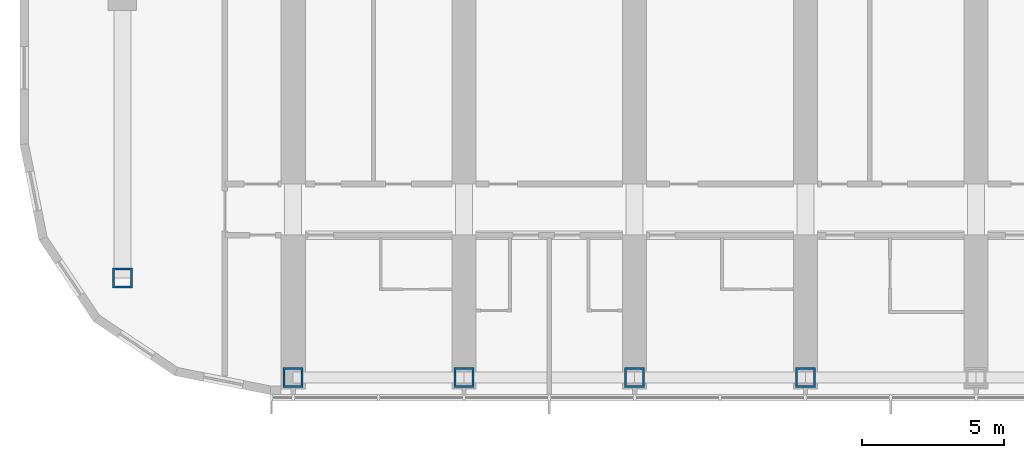
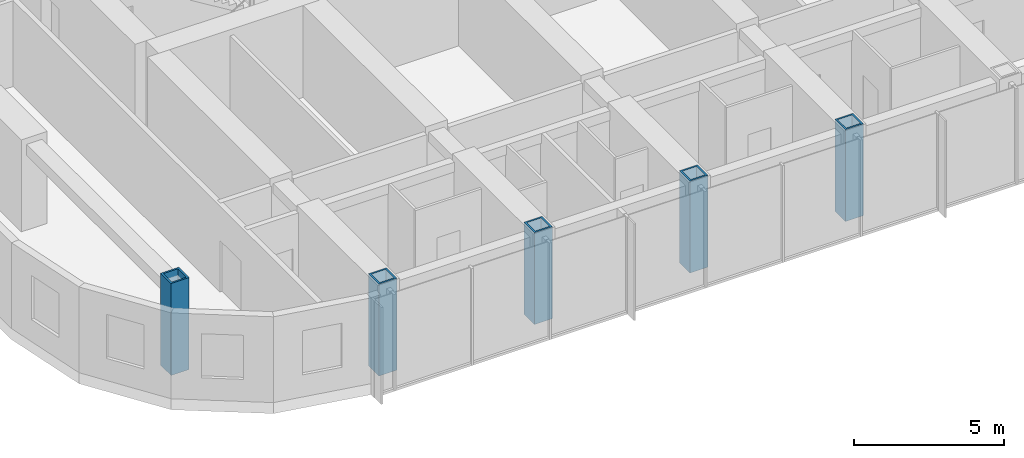
# One storey, part 1 of 28: 5 columns.
"""IFC4 building model written with IfcOpenShell, lengths in metres."""

from ifc_helpers import new_model, si_unit, direction, frame, origin, origin_2d, place, context, subcontext, project, spatial, hollow_rectangle, extrude, material, material_profile, profile_set, type_object, element, save


model = new_model("IFC4")

# Units and contexts
model_context = context("Model", 3, precision=1e-05, world=origin(), true_north=direction((0.0, 1.0)))
body_context = subcontext(model_context, "Body", "Model", "MODEL_VIEW")
ifc_project = project(units=[si_unit("LENGTHUNIT", "METRE"), si_unit("AREAUNIT", "SQUARE_METRE"), si_unit("VOLUMEUNIT", "CUBIC_METRE"), si_unit("PLANEANGLEUNIT", "RADIAN"), si_unit("MASSUNIT", "GRAM", prefix="KILO")], contexts=[model_context])

# Site, building, storey
site_placement = place(None, origin())
site = spatial("IfcSite", under=ifc_project, at=site_placement, CompositionType="ELEMENT")
building_placement = place(site_placement, origin())
building = spatial("IfcBuilding", under=site, at=building_placement, Name="Orbita Commons", CompositionType="ELEMENT")
storey_placement = place(building_placement, frame((0.0, 0.0, 193.60009765625)))
storey = spatial("IfcBuildingStorey", under=building, at=storey_placement, Name="L48", CompositionType="ELEMENT", Elevation=193.60009765625)

# Columns
ifc_material = material(Name="Steel ASTM A572 Gr 50 welded plate", Category="steel")
ifc_material_profile = material_profile(ifc_material, hollow_rectangle(XDim=0.699951171875, YDim=0.699951171875, WallThickness=0.070068359375, at=origin_2d()), Name="BOX 700x700x70")
ifc_profile_set = profile_set([ifc_material_profile], Name="Steel ASTM A572 Gr 50 welded plate")
column_type = type_object("IfcColumnType", Name="Steel column BOX 700x700x70", PredefinedType="COLUMN", material=ifc_profile_set)
for number, where, z_axis, x_axis, name in (
    (1, (18.0, 10.39990234375, 0.0), (0.0, 0.0, 1.0), (1.0, 0.0, 0.0), "Column 4/B L48"),
    (2, (24.0, 10.39990234375, 0.0), (0.0, 0.0, 1.0), (1.0, 0.0, 0.0), "Column 5/B L48"),
    (3, (30.0, 10.39990234375, 0.0), (0.0, 0.0, 1.0), (1.0, 0.0, 0.0), "Column 6/B L48"),
    (4, (36.0, 10.39990234375, 0.0), (0.0, 0.0, 1.0), (1.0, 0.0, 0.0), "Column 7/B L48"),
    (5, (12.0, 13.89990234375, 0.0), (0.0, 0.0, 1.0), (1.0, 0.0, 0.0), "Column 3/13.9 L48"),
):
    element("IfcColumn", number, at=place(storey_placement, frame(where, z_axis=z_axis, x_axis=x_axis)), inside=storey, type_object=column_type, Name=name, PredefinedType="COLUMN", context=body_context, shape_type="SweptSolid", body=[
        extrude(hollow_rectangle(XDim=0.699951171875, YDim=0.699951171875, WallThickness=0.070068359375, at=origin_2d()), origin(), (0.0, 0.0, 1.0), 3.75),
    ])

save(model, "model.ifc")
